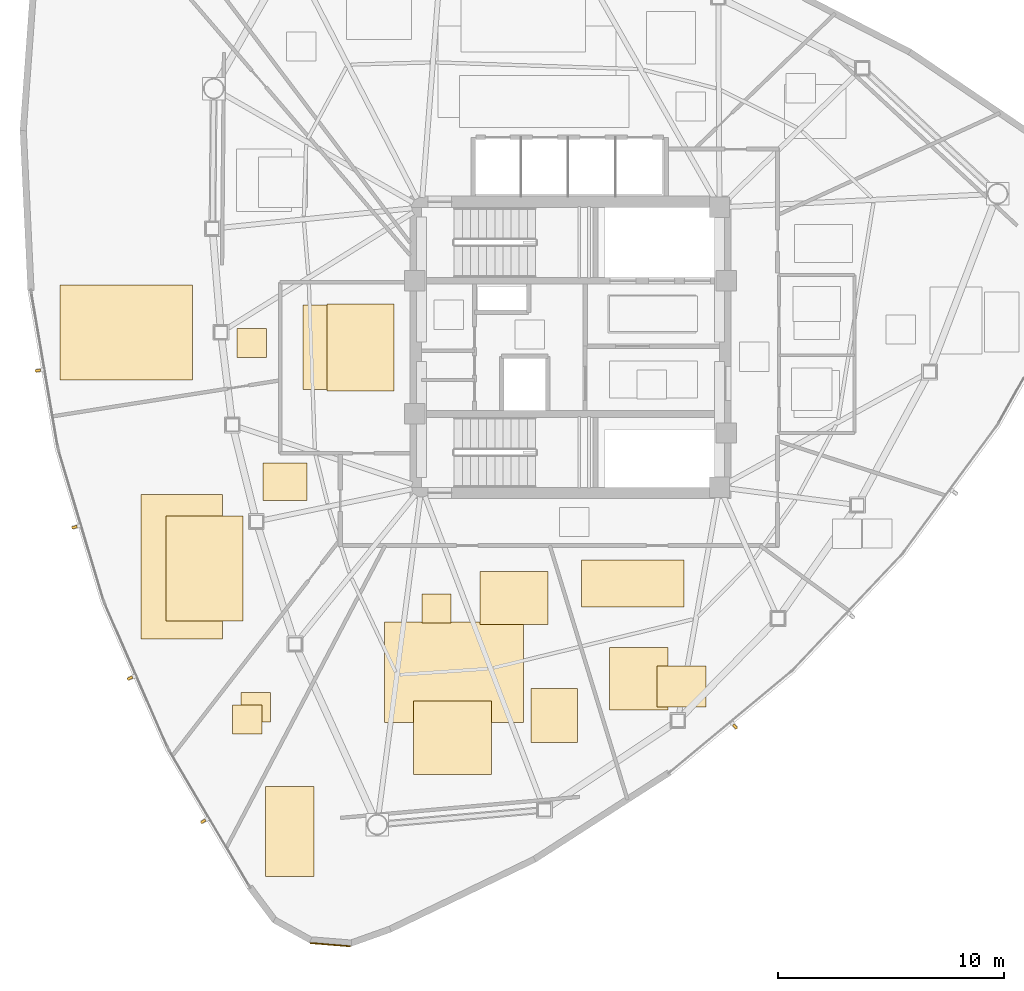
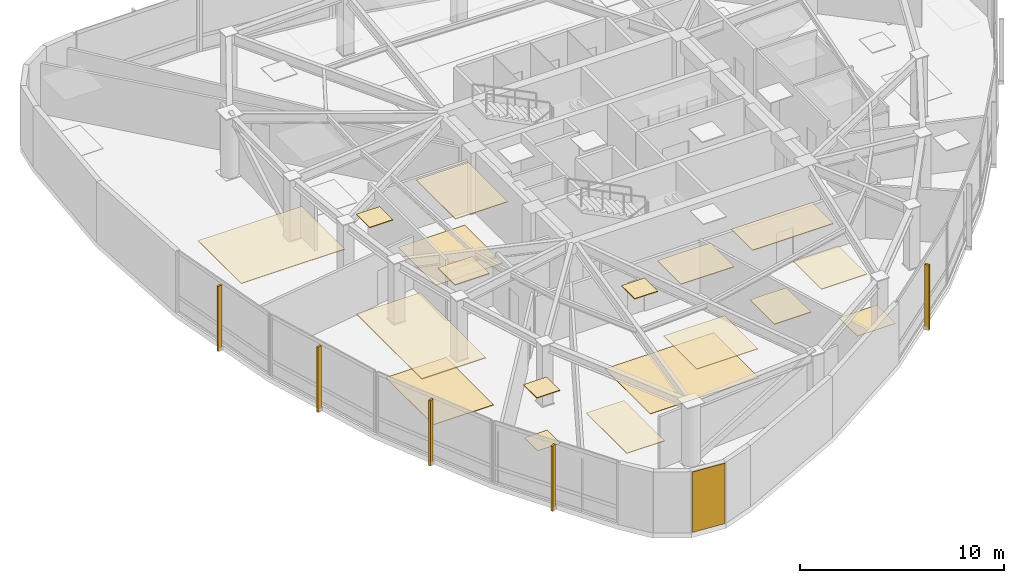
# One storey, part 13 of 15: 19 coverings, 5 shading devices.
"""IFC4 building model written with IfcOpenShell, lengths in metres."""

from ifc_helpers import new_model, si_unit, direction, frame, origin, origin_2d, place, context, subcontext, project, spatial, polyline, rectangle, outline, extrude, source, transform, mapped, material, layer, layer_set, type_object, type_shapes, element, save


model = new_model("IFC4")

# Units and contexts
model_context = context("Model", 3, precision=1e-05, world=origin(), true_north=direction((0.0, 1.0)))
body_context = subcontext(model_context, "Body", "Model", "MODEL_VIEW")
ifc_project = project(units=[si_unit("LENGTHUNIT", "METRE"), si_unit("AREAUNIT", "SQUARE_METRE"), si_unit("VOLUMEUNIT", "CUBIC_METRE"), si_unit("PLANEANGLEUNIT", "RADIAN"), si_unit("MASSUNIT", "GRAM", prefix="KILO")], contexts=[model_context])

# Site, building, storey
site_placement = place(None, origin())
site = spatial("IfcSite", under=ifc_project, at=site_placement, CompositionType="ELEMENT")
building_placement = place(site_placement, origin())
building = spatial("IfcBuilding", under=site, at=building_placement, Name="Tavelor Broadcast Tower", CompositionType="ELEMENT")
storey_placement = place(building_placement, frame((0.0, 0.0, 222.14990234375)))
storey = spatial("IfcBuildingStorey", under=building, at=storey_placement, Name="L52", CompositionType="ELEMENT", Elevation=222.14990234375)

# Coverings
ifc_material_1 = material(Name="Copper-Bronze Anodized Aluminium", Category="aluminium")
ifc_layer_1 = layer(ifc_material_1, 0.050048828125)
ifc_layer_set_1 = layer_set([ifc_layer_1], Name="Copper-Bronze Anodized Aluminium")
covering_type_1 = type_object("IfcCoveringType", Name="Champagne-Bronze Corner Pier Metal Cladding 50 mm", PredefinedType="CLADDING", material=ifc_layer_set_1)
covering_1_placement = place(storey_placement, frame((39.365234375, 18.537109375, 0.02001953125), z_axis=(0.0, 0.0, 1.0), x_axis=(0.996708512156, -0.081068747348, 0.0)))
element("IfcCovering", 1, at=covering_1_placement, inside=storey, type_object=covering_type_1, Name="L52 Champagne-Bronze Corner Cladding 13", PredefinedType="CLADDING", context=body_context, shape_type="SweptSolid", body=[
    extrude(rectangle(XDim=1.7705078125, YDim=0.050048828125, at=origin_2d()), origin(), (0.0, 0.0, 1.0), 3.610107421875),
])
ifc_material_2 = material(Name="Acoustic Nylon Carpet Tile")
ifc_layer_2 = layer(ifc_material_2, 0.02001953125)
ifc_layer_set_2 = layer_set([ifc_layer_2], Name="Acoustic Nylon Carpet Tile")
covering_type_2 = type_object("IfcCoveringType", Name="Heavy-Duty Acoustic Broadcast Carpet Tile 20 mm", PredefinedType="FLOORING", material=ifc_layer_set_2)
covering_2_placement = place(storey_placement, origin())
element("IfcCovering", 2, at=covering_2_placement, inside=storey, type_object=covering_type_2, Name="L52 Broadcast Floor Finish 0756", PredefinedType="FLOORING", context=body_context, shape_type="SweptSolid", body=[
    extrude(outline(polyline([(38.15771484375, 43.12890625), (41.942138671875, 43.12890625), (41.942138671875, 46.87060546875), (38.15771484375, 46.87060546875), (38.15771484375, 43.12890625)])), origin(), (0.0, 0.0, 1.0), 0.02001953125),
])
covering_3_placement = place(storey_placement, origin())
element("IfcCovering", 3, at=covering_3_placement, inside=storey, type_object=covering_type_2, Name="L52 Broadcast Floor Finish 0762", PredefinedType="FLOORING", context=body_context, shape_type="SweptSolid", body=[
    extrude(outline(polyline([(53.84130859375, 29.064208984375), (56.00390625, 29.064208984375), (56.00390625, 30.882080078125), (53.84130859375, 30.882080078125), (53.84130859375, 29.064208984375)])), origin(), (0.0, 0.0, 1.0), 0.02001953125),
])
covering_4_placement = place(storey_placement, origin())
element("IfcCovering", 4, at=covering_4_placement, inside=storey, type_object=covering_type_2, Name="L52 Broadcast Floor Finish 0763", PredefinedType="FLOORING", context=body_context, shape_type="SweptSolid", body=[
    extrude(outline(polyline([(41.755615234375, 28.38916015625), (47.9111328125, 28.38916015625), (47.9111328125, 32.827880859375), (41.755615234375, 32.827880859375), (41.755615234375, 28.38916015625)])), origin(), (0.0, 0.0, 1.0), 0.02001953125),
])
covering_5_placement = place(storey_placement, origin())
element("IfcCovering", 5, at=covering_5_placement, inside=storey, type_object=covering_type_2, Name="L52 Broadcast Floor Finish 0764", PredefinedType="FLOORING", context=body_context, shape_type="SweptSolid", body=[
    extrude(outline(polyline([(35.402587890625, 28.41064453125), (36.70263671875, 28.41064453125), (36.70263671875, 29.710693359375), (35.402587890625, 29.710693359375), (35.402587890625, 28.41064453125)])), origin(), (0.0, 0.0, 1.0), 0.02001953125),
])
ifc_material_3 = material(Name="Acoustic Hardwood Studio Flooring", Category="wood")
ifc_layer_3 = layer(ifc_material_3, 0.034912109375)
ifc_layer_set_3 = layer_set([ifc_layer_3], Name="Acoustic Hardwood Studio Flooring")
covering_type_3 = type_object("IfcCoveringType", Name="Isolated Studio Acoustic Elastomeric Floor Finish 35 mm", PredefinedType="FLOORING", material=ifc_layer_set_3)
covering_6_placement = place(storey_placement, origin())
element("IfcCovering", 6, at=covering_6_placement, inside=storey, type_object=covering_type_3, Name="L52 Broadcast Floor Finish 0765", PredefinedType="FLOORING", context=body_context, shape_type="SweptSolid", body=[
    extrude(outline(polyline([(32.086181640625, 32.87548828125), (35.49560546875, 32.87548828125), (35.49560546875, 37.52587890625), (32.086181640625, 37.52587890625), (32.086181640625, 32.87548828125)])), origin(), (0.0, 0.0, 1.0), 0.03515625),
])
ifc_material_4 = material(Name="Acoustic Perforated Timber Baffle", Category="wood")
ifc_layer_4 = layer(ifc_material_4, 0.054931640625)
ifc_layer_set_4 = layer_set([ifc_layer_4], Name="Acoustic Perforated Timber Baffle")
covering_type_4 = type_object("IfcCoveringType", Name="Micro-Perforated Acoustic Baffle Studio Ceiling 55 mm", PredefinedType="CEILING", material=ifc_layer_set_4)
covering_7_placement = place(storey_placement, frame((0.0, 0.0, 3.59521484375)))
element("IfcCovering", 7, at=covering_7_placement, inside=storey, type_object=covering_type_4, Name="L52 Suspended Acoustic Ceiling 2085", PredefinedType="CEILING", context=body_context, shape_type="SweptSolid", body=[
    extrude(outline(polyline([(30.9765625, 32.083740234375), (34.59423828125, 32.083740234375), (34.59423828125, 38.482666015625), (30.9765625, 38.482666015625), (30.9765625, 32.083740234375)])), origin(), (0.0, 0.0, 1.0), 0.054931640625),
])
covering_8_placement = place(storey_placement, frame((0.0, 0.0, 3.59521484375)))
element("IfcCovering", 8, at=covering_8_placement, inside=storey, type_object=covering_type_4, Name="L52 Suspended Acoustic Ceiling 2086", PredefinedType="CEILING", context=body_context, shape_type="SweptSolid", body=[
    extrude(outline(polyline([(36.38720703125, 38.215576171875), (38.3359375, 38.215576171875), (38.3359375, 39.88427734375), (36.38720703125, 39.88427734375), (36.38720703125, 38.215576171875)])), origin(), (0.0, 0.0, 1.0), 0.054931640625),
])
ifc_material_5 = material(Name="Acoustic Mineral Fibre Tile")
ifc_layer_5 = layer(ifc_material_5, 0.0400390625)
ifc_layer_set_5 = layer_set([ifc_layer_5], Name="Acoustic Mineral Fibre Tile")
covering_type_5 = type_object("IfcCoveringType", Name="Suspended Acoustic Mineral-Fibre Office Ceiling 40 mm", PredefinedType="CEILING", material=ifc_layer_set_5)
covering_9_placement = place(storey_placement, frame((0.0, 0.0, 3.610107421875)))
element("IfcCovering", 9, at=covering_9_placement, inside=storey, type_object=covering_type_5, Name="L52 Suspended Acoustic Ceiling 2069", PredefinedType="CEILING", context=body_context, shape_type="SweptSolid", body=[
    extrude(outline(polyline([(39.2216796875, 43.0712890625), (42.182373046875, 43.0712890625), (42.182373046875, 46.927978515625), (39.2216796875, 46.927978515625), (39.2216796875, 43.0712890625)])), origin(), (0.0, 0.0, 1.0), 0.0400390625),
])
covering_10_placement = place(storey_placement, frame((0.0, 0.0, 3.610107421875)))
element("IfcCovering", 10, at=covering_10_placement, inside=storey, type_object=covering_type_5, Name="L52 Suspended Acoustic Ceiling 2077", PredefinedType="CEILING", context=body_context, shape_type="SweptSolid", body=[
    extrude(outline(polyline([(51.736572265625, 28.927490234375), (54.313232421875, 28.927490234375), (54.313232421875, 31.70263671875), (51.736572265625, 31.70263671875), (51.736572265625, 28.927490234375)])), origin(), (0.0, 0.0, 1.0), 0.0400390625),
])
covering_11_placement = place(storey_placement, frame((0.0, 0.0, 3.610107421875)))
element("IfcCovering", 11, at=covering_11_placement, inside=storey, type_object=covering_type_5, Name="L52 Suspended Acoustic Ceiling 2078", PredefinedType="CEILING", context=body_context, shape_type="SweptSolid", body=[
    extrude(outline(polyline([(50.477783203125, 33.48681640625), (55.0361328125, 33.48681640625), (55.0361328125, 35.568359375), (50.477783203125, 35.568359375), (50.477783203125, 33.48681640625)])), origin(), (0.0, 0.0, 1.0), 0.0400390625),
])
covering_12_placement = place(storey_placement, frame((0.0, 0.0, 3.610107421875)))
element("IfcCovering", 12, at=covering_12_placement, inside=storey, type_object=covering_type_5, Name="L52 Suspended Acoustic Ceiling 2079", PredefinedType="CEILING", context=body_context, shape_type="SweptSolid", body=[
    extrude(outline(polyline([(36.489501953125, 21.560791015625), (38.62744140625, 21.560791015625), (38.62744140625, 25.53369140625), (36.489501953125, 25.53369140625), (36.489501953125, 21.560791015625)])), origin(), (0.0, 0.0, 1.0), 0.0400390625),
])
covering_13_placement = place(storey_placement, frame((0.0, 0.0, 3.610107421875)))
element("IfcCovering", 13, at=covering_13_placement, inside=storey, type_object=covering_type_5, Name="L52 Suspended Acoustic Ceiling 2080", PredefinedType="CEILING", context=body_context, shape_type="SweptSolid", body=[
    extrude(outline(polyline([(43.415283203125, 32.7802734375), (44.715087890625, 32.7802734375), (44.715087890625, 34.080322265625), (43.415283203125, 34.080322265625), (43.415283203125, 32.7802734375)])), origin(), (0.0, 0.0, 1.0), 0.0400390625),
])
covering_14_placement = place(storey_placement, frame((0.0, 0.0, 3.610107421875)))
element("IfcCovering", 14, at=covering_14_placement, inside=storey, type_object=covering_type_5, Name="L52 Suspended Acoustic Ceiling 2081", PredefinedType="CEILING", context=body_context, shape_type="SweptSolid", body=[
    extrude(outline(polyline([(45.995849609375, 32.728271484375), (49.002685546875, 32.728271484375), (49.002685546875, 35.057861328125), (45.995849609375, 35.057861328125), (45.995849609375, 32.728271484375)])), origin(), (0.0, 0.0, 1.0), 0.0400390625),
])
covering_15_placement = place(storey_placement, frame((0.0, 0.0, 3.610107421875)))
element("IfcCovering", 15, at=covering_15_placement, inside=storey, type_object=covering_type_5, Name="L52 Suspended Acoustic Ceiling 2082", PredefinedType="CEILING", context=body_context, shape_type="SweptSolid", body=[
    extrude(outline(polyline([(48.2509765625, 27.488525390625), (50.31884765625, 27.488525390625), (50.31884765625, 29.893798828125), (48.2509765625, 29.893798828125), (48.2509765625, 27.488525390625)])), origin(), (0.0, 0.0, 1.0), 0.0400390625),
])
covering_16_placement = place(storey_placement, frame((0.0, 0.0, 3.610107421875)))
element("IfcCovering", 16, at=covering_16_placement, inside=storey, type_object=covering_type_5, Name="L52 Suspended Acoustic Ceiling 2083", PredefinedType="CEILING", context=body_context, shape_type="SweptSolid", body=[
    extrude(outline(polyline([(43.053955078125, 26.074462890625), (46.50537109375, 26.074462890625), (46.50537109375, 29.3408203125), (43.053955078125, 29.3408203125), (43.053955078125, 26.074462890625)])), origin(), (0.0, 0.0, 1.0), 0.0400390625),
])
covering_17_placement = place(storey_placement, frame((0.0, 0.0, 3.610107421875)))
element("IfcCovering", 17, at=covering_17_placement, inside=storey, type_object=covering_type_5, Name="L52 Suspended Acoustic Ceiling 2084", PredefinedType="CEILING", context=body_context, shape_type="SweptSolid", body=[
    extrude(outline(polyline([(35.037841796875, 27.8583984375), (36.337890625, 27.8583984375), (36.337890625, 29.158203125), (35.037841796875, 29.158203125), (35.037841796875, 27.8583984375)])), origin(), (0.0, 0.0, 1.0), 0.0400390625),
])
covering_18_placement = place(storey_placement, frame((0.0, 0.0, 3.610107421875)))
element("IfcCovering", 18, at=covering_18_placement, inside=storey, type_object=covering_type_5, Name="L52 Suspended Acoustic Ceiling 2088", PredefinedType="CEILING", context=body_context, shape_type="SweptSolid", body=[
    extrude(outline(polyline([(35.230712890625, 44.5380859375), (36.530517578125, 44.5380859375), (36.530517578125, 45.838134765625), (35.230712890625, 45.838134765625), (35.230712890625, 44.5380859375)])), origin(), (0.0, 0.0, 1.0), 0.0400390625),
])
covering_19_placement = place(storey_placement, frame((0.0, 0.0, 3.610107421875)))
element("IfcCovering", 19, at=covering_19_placement, inside=storey, type_object=covering_type_5, Name="L52 Suspended Acoustic Ceiling 2089", PredefinedType="CEILING", context=body_context, shape_type="SweptSolid", body=[
    extrude(outline(polyline([(27.38720703125, 43.55029296875), (33.245849609375, 43.55029296875), (33.245849609375, 47.768798828125), (27.38720703125, 47.768798828125), (27.38720703125, 43.55029296875)])), origin(), (0.0, 0.0, 1.0), 0.0400390625),
])

# Shading devices
ifc_material_6 = material(Name="Kiln-Fired Glazed Terracotta", Category="masonry")
shading_device_type = type_object("IfcShadingDeviceType", Name="Extruded Terracotta Baguette Sun-Screen 110x240", PredefinedType="JALOUSIE", material=ifc_material_6)
shared_shape = source(origin(), body_context, "Body", "SweptSolid", [
    extrude(rectangle(XDim=0.110107421875, YDim=0.239990234375, at=origin_2d()), origin(), (0.0, 0.0, 1.0), 3.889892578125),
])
type_shapes(shading_device_type, [shared_shape])
for number, where, z_axis, x_axis, name in (
    (20, (26.401611328125, 43.96875, -0.259765625), (0.0, 0.0, 1.0), (0.168833444713, -0.985644595149, 0.0), "L52 Terracotta Baguette Fin 529"),
    (21, (28.02880859375, 37.03173828125, -0.259765625), (0.0, 0.0, 1.0), (0.287026159226, -0.957922744234, 0.0), "L52 Terracotta Baguette Fin 530"),
    (22, (30.4833984375, 30.3427734375, -0.259765625), (0.0, 0.0, 1.0), (0.400828784059, -0.916152981696, 0.0), "L52 Terracotta Baguette Fin 531"),
    (23, (33.729248046875, 23.999755859375, -0.259765625), (0.0, 0.0, 1.0), (0.508740929096, -0.860919663536, 0.0), "L52 Terracotta Baguette Fin 532"),
    (24, (57.292236328125, 28.196533203125, -0.259765625), (0.0, 0.0, 1.0), (0.769176536145, 0.639036349704, 0.0), "L52 Terracotta Baguette Fin 533"),
):
    element("IfcShadingDevice", number, at=place(storey_placement, frame(where, z_axis=z_axis, x_axis=x_axis)), inside=storey, type_object=shading_device_type, Name=name, PredefinedType="JALOUSIE", context=body_context, shape_type="MappedRepresentation", body=[
        mapped(shared_shape, transform((0.0, 0.0, 0.0), scale=1.0)),
    ])

save(model, "model.ifc")
